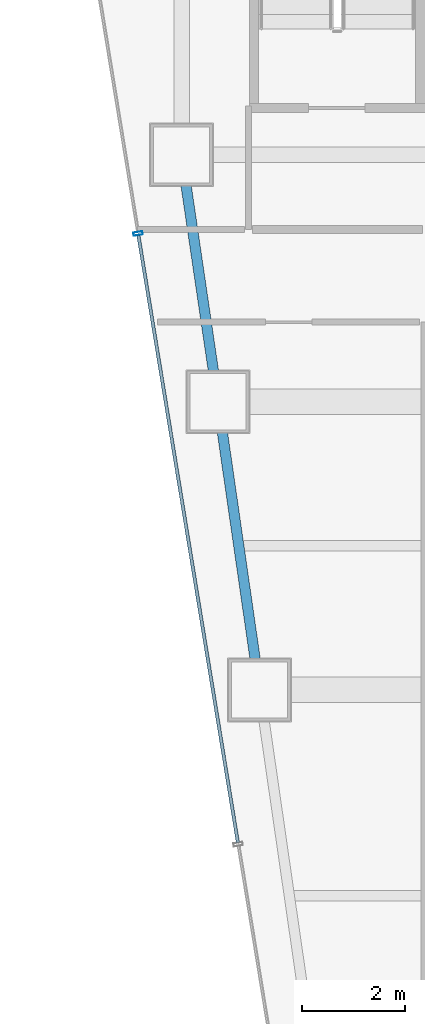
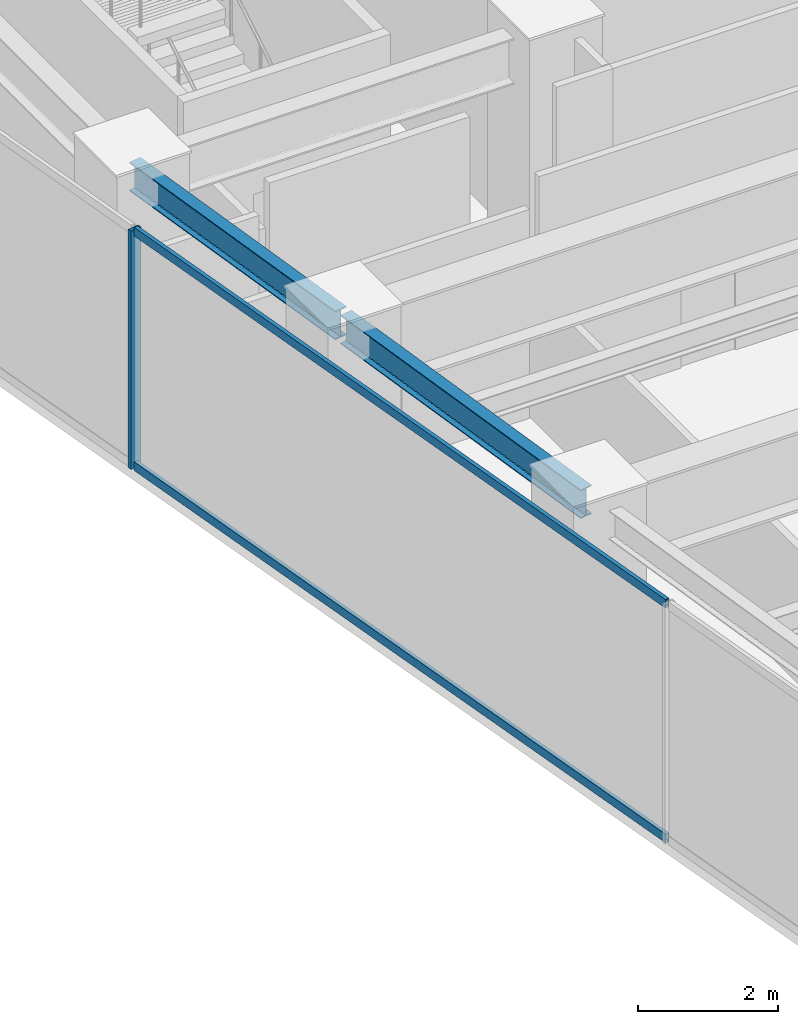
# One storey, part 21 of 40: 3 members, 2 beams, 1 element without a shape of its own.
"""IFC4 building model written with IfcOpenShell, lengths in metres."""

from ifc_helpers import new_model, si_unit, direction, frame, origin, origin_2d, place, context, subcontext, project, spatial, hollow_rectangle, i_section, extrude, material, material_profile, profile_set, type_object, element, aggregate, save


model = new_model("IFC4")

# Units and contexts
model_context = context("Model", 3, precision=1e-05, world=origin(), true_north=direction((0.0, 1.0)))
body_context = subcontext(model_context, "Body", "Model", "MODEL_VIEW")
ifc_project = project(units=[si_unit("LENGTHUNIT", "METRE"), si_unit("AREAUNIT", "SQUARE_METRE"), si_unit("VOLUMEUNIT", "CUBIC_METRE"), si_unit("PLANEANGLEUNIT", "RADIAN"), si_unit("MASSUNIT", "GRAM", prefix="KILO")], contexts=[model_context])

# Site, building, storey
site_placement = place(None, origin())
site = spatial("IfcSite", under=ifc_project, at=site_placement, CompositionType="ELEMENT")
building_placement = place(site_placement, origin())
building = spatial("IfcBuilding", under=site, at=building_placement, Name="Saevonmaru Cultural Tower", CompositionType="ELEMENT")
storey_placement = place(building_placement, frame((0.0, 0.0, 97.199951171875)))
storey = spatial("IfcBuildingStorey", under=building, at=storey_placement, Name="L20", CompositionType="ELEMENT", Elevation=97.199951171875)

# Beams
ifc_material_1 = material(Name="Steel SM355", Category="steel")
ifc_material_profile_1 = material_profile(ifc_material_1, i_section(OverallWidth=0.199951171875, OverallDepth=0.5, WebThickness=0.010009765625, FlangeThickness=0.01611328125, FilletRadius=0.02001953125, at=origin_2d()), Name="H-500x200x10x16")
ifc_profile_set_1 = profile_set([ifc_material_profile_1], Name="Steel SM355")
beam_type = type_object("IfcBeamType", Name="BM-SP-H500", PredefinedType="SPANDREL", material=ifc_profile_set_1)
beam_1_placement = place(storey_placement, frame((8.308349609375, 32.059326171875, 3.900146484375), z_axis=(-0.142964121327, 0.989727871697, 0.0), x_axis=(-0.989727871697, -0.142964121327, 0.0)))
element("IfcBeam", 1, at=beam_1_placement, inside=storey, type_object=beam_type, Name="L20 West Splayed Spandrel 5", PredefinedType="SPANDREL", context=body_context, shape_type="SweptSolid", body=[
    extrude(i_section(OverallWidth=0.199951171875, OverallDepth=0.5, WebThickness=0.010009765625, FlangeThickness=0.01611328125, FilletRadius=0.02001953125, at=origin_2d()), origin(), (0.0, 0.0, 1.0), 5.5380859375),
])
beam_2_placement = place(storey_placement, frame((7.499267578125, 37.659423828125, 3.900146484375), z_axis=(-0.145912860028, 0.989297446312, 0.0), x_axis=(-0.989297446312, -0.145912860028, 0.0)))
element("IfcBeam", 2, at=beam_2_placement, inside=storey, type_object=beam_type, Name="L20 West Splayed Spandrel 6", PredefinedType="SPANDREL", context=body_context, shape_type="SweptSolid", body=[
    extrude(i_section(OverallWidth=0.199951171875, OverallDepth=0.5, WebThickness=0.010009765625, FlangeThickness=0.01611328125, FilletRadius=0.02001953125, at=origin_2d()), origin(), (0.0, 0.0, 1.0), 4.731689453125),
])

# Curtain wall, members
ifc_material_2 = material(Name="Satin Bronze Anodised Aluminium", Category="aluminium")
curtain_wall_type = type_object("IfcCurtainWallType", Name="CW-TYP-A", PredefinedType="NOTDEFINED", material=ifc_material_2)
curtain_wall_placement = place(storey_placement, origin())
curtain_wall = element("IfcCurtainWall", 3, at=curtain_wall_placement, inside=storey, type_object=curtain_wall_type, Name="L20 Unitised Curtain Wall E12", PredefinedType="NOTDEFINED")
ifc_material_profile_2 = material_profile(ifc_material_2, hollow_rectangle(XDim=0.06494140625, YDim=0.179931640625, WallThickness=0.00390625, at=origin_2d()), Name="ALU-MULL-180x65x4")
ifc_profile_set_2 = profile_set([ifc_material_profile_2], Name="Satin Bronze Anodised Aluminium")
member_type_1 = type_object("IfcMemberType", Name="ML-CW-180x65", PredefinedType="MULLION", material=ifc_profile_set_2)
member_1_placement = place(storey_placement, frame((5.954833984375, 40.870361328125, 0.0), z_axis=(0.0, 0.0, 1.0), x_axis=(0.161708868641, -0.986838508472, 0.0)))
member_1 = element("IfcMember", 4, at=member_1_placement, type_object=member_type_1, Name="CW-TW-L20-E12 mullion 2", PredefinedType="MULLION", context=body_context, shape_type="SweptSolid", body=[
    extrude(hollow_rectangle(XDim=0.06494140625, YDim=0.179931640625, WallThickness=0.00390625, at=origin_2d()), origin(), (0.0, 0.0, 1.0), 4.150146484375),
])
ifc_material_profile_3 = material_profile(ifc_material_2, hollow_rectangle(XDim=0.06494140625, YDim=0.14990234375, WallThickness=0.00390625, at=origin_2d()), Name="ALU-TRAN-150x65x4")
ifc_profile_set_3 = profile_set([ifc_material_profile_3], Name="Satin Bronze Anodised Aluminium")
member_type_2 = type_object("IfcMemberType", Name="TR-CW-150x65", PredefinedType="USERDEFINED", material=ifc_profile_set_3)
member_2_placement = place(storey_placement, frame((5.960205078125, 40.83837890625, 0.032470703125), z_axis=(0.161701400727, -0.986839732177, 0.0), x_axis=(0.986839732177, 0.161701400727, 0.0)))
member_2 = element("IfcMember", 5, at=member_2_placement, type_object=member_type_2, Name="CW-TW-L20-E12 transom 2.1", ObjectType="TRANSOM", PredefinedType="USERDEFINED", context=body_context, shape_type="SweptSolid", body=[
    extrude(hollow_rectangle(XDim=0.06494140625, YDim=0.14990234375, WallThickness=0.00390625, at=origin_2d()), origin(), (0.0, 0.0, 1.0), 11.9638671875),
])
member_3_placement = place(storey_placement, frame((5.960205078125, 40.83837890625, 4.117431640625), z_axis=(0.161701400727, -0.986839732177, 0.0), x_axis=(0.986839732177, 0.161701400727, 0.0)))
member_3 = element("IfcMember", 6, at=member_3_placement, type_object=member_type_2, Name="CW-TW-L20-E12 transom 2.2", ObjectType="TRANSOM", PredefinedType="USERDEFINED", context=body_context, shape_type="SweptSolid", body=[
    extrude(hollow_rectangle(XDim=0.06494140625, YDim=0.14990234375, WallThickness=0.00390625, at=origin_2d()), origin(), (0.0, 0.0, 1.0), 11.9638671875),
])
aggregate(curtain_wall, [member_1, member_2, member_3])

save(model, "model.ifc")
